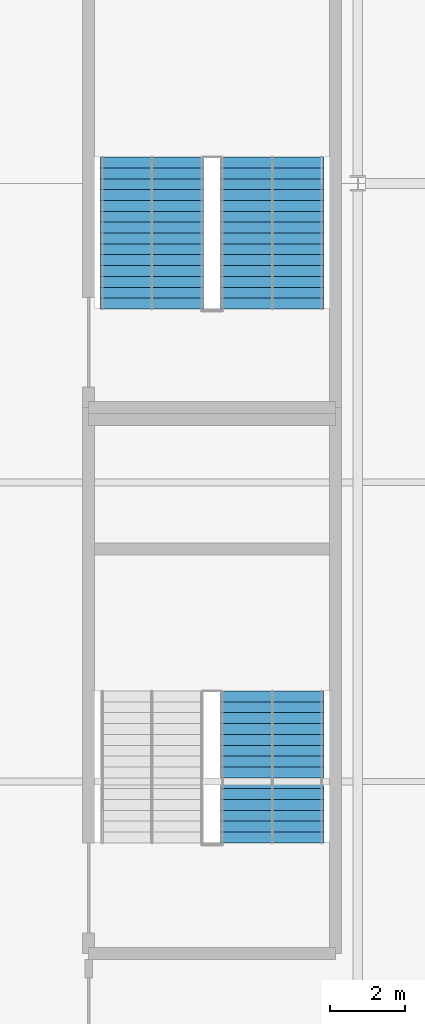
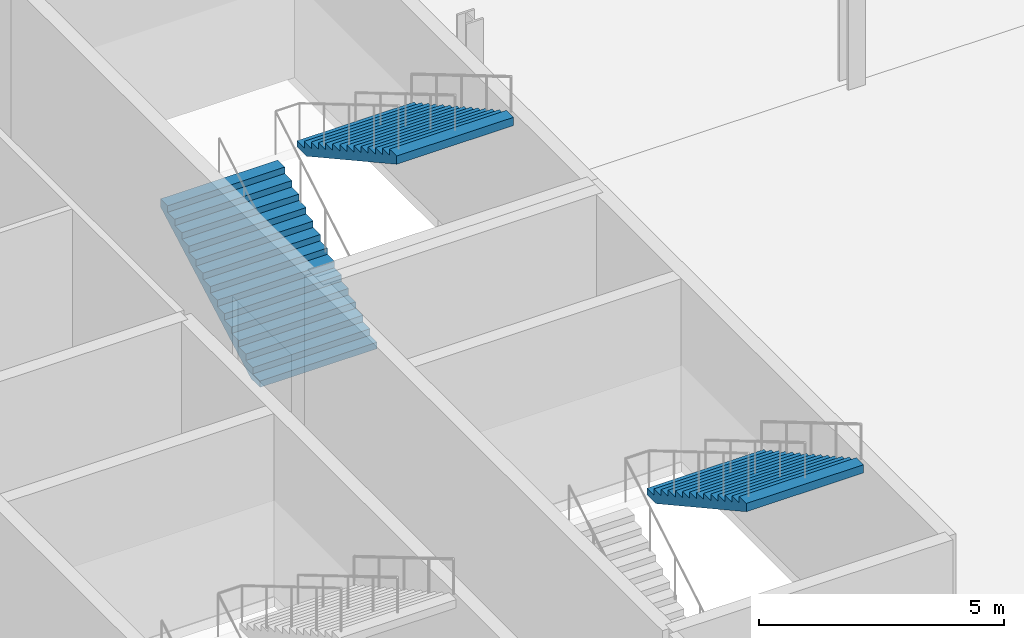
# One storey, part 117 of 136: 3 stair flights, 2 elements without a shape of their own.
"""IFC4 building model written with IfcOpenShell, lengths in metres."""

from ifc_helpers import new_model, si_unit, direction, frame, origin, place, context, subcontext, project, spatial, polygons, material, type_object, element, aggregate, save


model = new_model("IFC4")

# Units and contexts
model_context = context("Model", 3, precision=1e-05, world=origin(), true_north=direction((0.0, 1.0)))
body_context = subcontext(model_context, "Body", "Model", "MODEL_VIEW")
ifc_project = project(units=[si_unit("LENGTHUNIT", "METRE"), si_unit("AREAUNIT", "SQUARE_METRE"), si_unit("VOLUMEUNIT", "CUBIC_METRE"), si_unit("PLANEANGLEUNIT", "RADIAN"), si_unit("MASSUNIT", "GRAM", prefix="KILO")], contexts=[model_context])

# Site, building, storey
site_placement = place(None, origin())
site = spatial("IfcSite", under=ifc_project, at=site_placement, CompositionType="ELEMENT")
building_placement = place(site_placement, origin())
building = spatial("IfcBuilding", under=site, at=building_placement, Name="Kisiwana Market Hall", CompositionType="ELEMENT")
storey_placement = place(building_placement, frame((0.0, 0.0, 16.800048828125)))
storey = spatial("IfcBuildingStorey", under=building, at=storey_placement, Name="L03", CompositionType="ELEMENT", Elevation=16.800048828125)

# Stair, stair flight
ifc_material_1 = material(Name="Concrete C32/40", Category="concrete")
stair_type = type_object("IfcStairType", Name="ST-ESC-4800", PredefinedType="TWO_STRAIGHT_RUN_STAIR", material=ifc_material_1)
stair_1_placement = place(storey_placement, origin())
stair_1 = element("IfcStair", 1, at=stair_1_placement, inside=storey, type_object=stair_type, Name="Escape stair ST-W7-L03", PredefinedType="TWO_STRAIGHT_RUN_STAIR")
ifc_material_2 = material(Name="Concrete C32/40", Category="concrete")
stair_flight_type = type_object("IfcStairFlightType", Name="SF-ESC-4800", PredefinedType="STRAIGHT", material=ifc_material_2)
stair_flight_1_placement = place(storey_placement, frame((24.7099609375, 46.419921875, 2.39990234375), z_axis=(0.0, 0.0, 1.0), x_axis=(0.0, -1.0, 0.0)))
stair_flight_1 = element("IfcStairFlight", 2, at=stair_flight_1_placement, type_object=stair_flight_type, Name="ST-W7-L03 flight 2", NumberOfRisers=15, NumberOfTreads=14, PredefinedType="STRAIGHT", RiserHeight=0.16, TreadLength=0.29, context=body_context, shape_type="Tessellation", body=[
    polygons([(0.0, -1.380127, 0.0), (0.0, -0.690125, 0.0), (0.0, -0.000122, 0.0), (0.0, 0.68988, 0.0), (0.0, 1.379883, 0.0), (0.0, -1.380127, 0.159912), (0.0, -0.690125, 0.159912), (0.0, -0.000122, 0.159912), (0.0, 0.68988, 0.159912), (0.0, 1.379883, 0.159912), (0.290039, -1.380127, 0.159912), (0.290039, -0.690125, 0.159912), (0.290039, -0.000122, 0.159912), (0.290039, 0.68988, 0.159912), (0.290039, 1.379883, 0.159912), (0.290039, -1.380127, 0.320068), (0.290039, -0.690125, 0.320068), (0.290039, -0.000122, 0.320068), (0.290039, 0.68988, 0.320068), (0.290039, 1.379883, 0.320068), (0.580078, -1.380127, 0.320068), (0.580078, -0.690125, 0.320068), (0.580078, -0.000122, 0.320068), (0.580078, 0.68988, 0.320068), (0.580078, 1.379883, 0.320068), (0.580078, -1.380127, 0.47998), (0.580078, -0.690125, 0.47998), (0.580078, -0.000122, 0.47998), (0.580078, 0.68988, 0.47998), (0.580078, 1.379883, 0.47998), (0.870117, -1.380127, 0.47998), (0.870117, -0.690125, 0.47998), (0.870117, -0.000122, 0.47998), (0.870117, 0.68988, 0.47998), (0.870117, 1.379883, 0.47998), (0.870117, -1.380127, 0.639893), (0.870117, -0.690125, 0.639893), (0.870117, -0.000122, 0.639893), (0.870117, 0.68988, 0.639893), (0.870117, 1.379883, 0.639893), (1.159912, -1.380127, 0.639893), (1.159912, -0.690125, 0.639893), (1.159912, -0.000122, 0.639893), (1.159912, 0.68988, 0.639893), (1.159912, 1.379883, 0.639893), (1.159912, -1.380127, 0.800049), (1.159912, -0.690125, 0.800049), (1.159912, -0.000122, 0.800049), (1.159912, 0.68988, 0.800049), (1.159912, 1.379883, 0.800049), (1.449951, -1.380127, 0.800049), (1.449951, -0.690125, 0.800049), (1.449951, -0.000122, 0.800049), (1.449951, 0.68988, 0.800049), (1.449951, 1.379883, 0.800049), (1.449951, -1.380127, 0.959961), (1.449951, -0.690125, 0.959961), (1.449951, -0.000122, 0.959961), (1.449951, 0.68988, 0.959961), (1.449951, 1.379883, 0.959961), (1.73999, -1.380127, 0.959961), (1.73999, -0.690125, 0.959961), (1.73999, -0.000122, 0.959961), (1.73999, 0.68988, 0.959961), (1.73999, 1.379883, 0.959961), (1.73999, -1.380127, 1.120117), (1.73999, -0.690125, 1.120117), (1.73999, -0.000122, 1.120117), (1.73999, 0.68988, 1.120117), (1.73999, 1.379883, 1.120117), (2.030029, -1.380127, 1.120117), (2.030029, -0.690125, 1.120117), (2.030029, -0.000122, 1.120117), (2.030029, 0.68988, 1.120117), (2.030029, 1.379883, 1.120117), (2.030029, -1.380127, 1.280029), (2.030029, -0.690125, 1.280029), (2.030029, -0.000122, 1.280029), (2.030029, 0.68988, 1.280029), (2.030029, 1.379883, 1.280029), (2.320068, -1.380127, 1.280029), (2.320068, -0.690125, 1.280029), (2.320068, -0.000122, 1.280029), (2.320068, 0.68988, 1.280029), (2.320068, 1.379883, 1.280029), (2.320068, -1.380127, 1.439941), (2.320068, -0.690125, 1.439941), (2.320068, -0.000122, 1.439941), (2.320068, 0.68988, 1.439941), (2.320068, 1.379883, 1.439941), (2.610107, -1.380127, 1.439941), (2.610107, -0.690125, 1.439941), (2.610107, -0.000122, 1.439941), (2.610107, 0.68988, 1.439941), (2.610107, 1.379883, 1.439941), (2.610107, -1.380127, 1.600098), (2.610107, -0.690125, 1.600098), (2.610107, -0.000122, 1.600098), (2.610107, 0.68988, 1.600098), (2.610107, 1.379883, 1.600098), (2.899902, -1.380127, 1.600098), (2.899902, -0.690125, 1.600098), (2.899902, -0.000122, 1.600098), (2.899902, 0.68988, 1.600098), (2.899902, 1.379883, 1.600098), (2.899902, -1.380127, 1.76001), (2.899902, -0.690125, 1.76001), (2.899902, -0.000122, 1.76001), (2.899902, 0.68988, 1.76001), (2.899902, 1.379883, 1.76001), (3.189941, -1.380127, 1.76001), (3.189941, -0.690125, 1.76001), (3.189941, -0.000122, 1.76001), (3.189941, 0.68988, 1.76001), (3.189941, 1.379883, 1.76001), (3.189941, -1.380127, 1.919922), (3.189941, -0.690125, 1.919922), (3.189941, -0.000122, 1.919922), (3.189941, 0.68988, 1.919922), (3.189941, 1.379883, 1.919922), (3.47998, -1.380127, 1.919922), (3.47998, -0.690125, 1.919922), (3.47998, -0.000122, 1.919922), (3.47998, 0.68988, 1.919922), (3.47998, 1.379883, 1.919922), (3.47998, -1.380127, 2.080078), (3.47998, -0.690125, 2.080078), (3.47998, -0.000122, 2.080078), (3.47998, 0.68988, 2.080078), (3.47998, 1.379883, 2.080078), (3.77002, -1.380127, 2.080078), (3.77002, -0.690125, 2.080078), (3.77002, -0.000122, 2.080078), (3.77002, 0.68988, 2.080078), (3.77002, 1.379883, 2.080078), (3.77002, -1.380127, 2.23999), (3.77002, -0.690125, 2.23999), (3.77002, -0.000122, 2.23999), (3.77002, 0.68988, 2.23999), (3.77002, 1.379883, 2.23999), (4.060059, -1.380127, 2.23999), (4.060059, -0.690125, 2.23999), (4.060059, -0.000122, 2.23999), (4.060059, 0.68988, 2.23999), (4.060059, 1.379883, 2.23999), (4.060059, -1.380127, 2.034424), (4.060059, -0.690125, 2.034424), (4.060059, -0.000122, 2.034424), (4.060059, 0.68988, 2.034424), (4.060059, 1.379883, 2.034424), (0.372559, -1.380127, 0.0), (0.372559, -0.690125, 0.0), (0.372559, -0.000122, 0.0), (0.372559, 0.68988, 0.0), (0.372559, 1.379883, 0.0)], [[[1, 6, 7, 2]], [[2, 7, 8, 3]], [[3, 8, 9, 4]], [[4, 9, 10, 5]], [[6, 11, 12, 7]], [[7, 12, 13, 8]], [[8, 13, 14, 9]], [[9, 14, 15, 10]], [[11, 16, 17, 12]], [[12, 17, 18, 13]], [[13, 18, 19, 14]], [[14, 19, 20, 15]], [[16, 21, 22, 17]], [[17, 22, 23, 18]], [[18, 23, 24, 19]], [[19, 24, 25, 20]], [[21, 26, 27, 22]], [[22, 27, 28, 23]], [[23, 28, 29, 24]], [[24, 29, 30, 25]], [[26, 31, 32, 27]], [[27, 32, 33, 28]], [[28, 33, 34, 29]], [[29, 34, 35, 30]], [[31, 36, 37, 32]], [[32, 37, 38, 33]], [[33, 38, 39, 34]], [[34, 39, 40, 35]], [[36, 41, 42, 37]], [[37, 42, 43, 38]], [[38, 43, 44, 39]], [[39, 44, 45, 40]], [[41, 46, 47, 42]], [[42, 47, 48, 43]], [[43, 48, 49, 44]], [[44, 49, 50, 45]], [[46, 51, 52, 47]], [[47, 52, 53, 48]], [[48, 53, 54, 49]], [[49, 54, 55, 50]], [[51, 56, 57, 52]], [[52, 57, 58, 53]], [[53, 58, 59, 54]], [[54, 59, 60, 55]], [[56, 61, 62, 57]], [[57, 62, 63, 58]], [[58, 63, 64, 59]], [[59, 64, 65, 60]], [[61, 66, 67, 62]], [[62, 67, 68, 63]], [[63, 68, 69, 64]], [[64, 69, 70, 65]], [[66, 71, 72, 67]], [[67, 72, 73, 68]], [[68, 73, 74, 69]], [[69, 74, 75, 70]], [[71, 76, 77, 72]], [[72, 77, 78, 73]], [[73, 78, 79, 74]], [[74, 79, 80, 75]], [[76, 81, 82, 77]], [[77, 82, 83, 78]], [[78, 83, 84, 79]], [[79, 84, 85, 80]], [[81, 86, 87, 82]], [[82, 87, 88, 83]], [[83, 88, 89, 84]], [[84, 89, 90, 85]], [[86, 91, 92, 87]], [[87, 92, 93, 88]], [[88, 93, 94, 89]], [[89, 94, 95, 90]], [[91, 96, 97, 92]], [[92, 97, 98, 93]], [[93, 98, 99, 94]], [[94, 99, 100, 95]], [[96, 101, 102, 97]], [[97, 102, 103, 98]], [[98, 103, 104, 99]], [[99, 104, 105, 100]], [[101, 106, 107, 102]], [[102, 107, 108, 103]], [[103, 108, 109, 104]], [[104, 109, 110, 105]], [[106, 111, 112, 107]], [[107, 112, 113, 108]], [[108, 113, 114, 109]], [[109, 114, 115, 110]], [[111, 116, 117, 112]], [[112, 117, 118, 113]], [[113, 118, 119, 114]], [[114, 119, 120, 115]], [[116, 121, 122, 117]], [[117, 122, 123, 118]], [[118, 123, 124, 119]], [[119, 124, 125, 120]], [[121, 126, 127, 122]], [[122, 127, 128, 123]], [[123, 128, 129, 124]], [[124, 129, 130, 125]], [[126, 131, 132, 127]], [[127, 132, 133, 128]], [[128, 133, 134, 129]], [[129, 134, 135, 130]], [[131, 136, 137, 132]], [[132, 137, 138, 133]], [[133, 138, 139, 134]], [[134, 139, 140, 135]], [[136, 141, 142, 137]], [[137, 142, 143, 138]], [[138, 143, 144, 139]], [[139, 144, 145, 140]], [[141, 146, 147, 142]], [[142, 147, 148, 143]], [[143, 148, 149, 144]], [[144, 149, 150, 145]], [[146, 151, 152, 147]], [[147, 152, 153, 148]], [[148, 153, 154, 149]], [[149, 154, 155, 150]], [[151, 1, 2, 152]], [[152, 2, 3, 153]], [[153, 3, 4, 154]], [[154, 4, 5, 155]], [[151, 146, 141, 136, 131, 126, 121, 116, 111, 106, 101, 96, 91, 86, 81, 76, 71, 66, 61, 56, 51, 46, 41, 36, 31, 26, 21, 16, 11, 6, 1]], [[5, 10, 15, 20, 25, 30, 35, 40, 45, 50, 55, 60, 65, 70, 75, 80, 85, 90, 95, 100, 105, 110, 115, 120, 125, 130, 135, 140, 145, 150, 155]]], closed=True),
])
aggregate(stair_1, [stair_flight_1])

# Stair, stair flights
stair_2_placement = place(storey_placement, origin())
stair_2 = element("IfcStair", 3, at=stair_2_placement, inside=storey, type_object=stair_type, Name="Escape stair ST-W5-L03", PredefinedType="TWO_STRAIGHT_RUN_STAIR")
stair_flight_2_placement = place(storey_placement, frame((21.489990234375, 56.639892578125, 0.0), z_axis=(0.0, 0.0, 1.0), x_axis=(0.0, 1.0, 0.0)))
stair_flight_2 = element("IfcStairFlight", 4, at=stair_flight_2_placement, type_object=stair_flight_type, Name="ST-W5-L03 flight 1", NumberOfRisers=15, NumberOfTreads=14, PredefinedType="STRAIGHT", RiserHeight=0.16, TreadLength=0.29, context=body_context, shape_type="Tessellation", body=[
    polygons([(0.0, -1.380127, 0.0), (0.0, -0.690125, 0.0), (0.0, -0.000122, 0.0), (0.0, 0.68988, 0.0), (0.0, 1.379883, 0.0), (0.0, -1.380127, 0.159912), (0.0, -0.690125, 0.159912), (0.0, -0.000122, 0.159912), (0.0, 0.68988, 0.159912), (0.0, 1.379883, 0.159912), (0.290039, -1.380127, 0.159912), (0.290039, -0.690125, 0.159912), (0.290039, -0.000122, 0.159912), (0.290039, 0.68988, 0.159912), (0.290039, 1.379883, 0.159912), (0.290039, -1.380127, 0.320068), (0.290039, -0.690125, 0.320068), (0.290039, -0.000122, 0.320068), (0.290039, 0.68988, 0.320068), (0.290039, 1.379883, 0.320068), (0.580078, -1.380127, 0.320068), (0.580078, -0.690125, 0.320068), (0.580078, -0.000122, 0.320068), (0.580078, 0.68988, 0.320068), (0.580078, 1.379883, 0.320068), (0.580078, -1.380127, 0.47998), (0.580078, -0.690125, 0.47998), (0.580078, -0.000122, 0.47998), (0.580078, 0.68988, 0.47998), (0.580078, 1.379883, 0.47998), (0.870117, -1.380127, 0.47998), (0.870117, -0.690125, 0.47998), (0.870117, -0.000122, 0.47998), (0.870117, 0.68988, 0.47998), (0.870117, 1.379883, 0.47998), (0.870117, -1.380127, 0.639893), (0.870117, -0.690125, 0.639893), (0.870117, -0.000122, 0.639893), (0.870117, 0.68988, 0.639893), (0.870117, 1.379883, 0.639893), (1.159912, -1.380127, 0.639893), (1.159912, -0.690125, 0.639893), (1.159912, -0.000122, 0.639893), (1.159912, 0.68988, 0.639893), (1.159912, 1.379883, 0.639893), (1.159912, -1.380127, 0.800049), (1.159912, -0.690125, 0.800049), (1.159912, -0.000122, 0.800049), (1.159912, 0.68988, 0.800049), (1.159912, 1.379883, 0.800049), (1.449951, -1.380127, 0.800049), (1.449951, -0.690125, 0.800049), (1.449951, -0.000122, 0.800049), (1.449951, 0.68988, 0.800049), (1.449951, 1.379883, 0.800049), (1.449951, -1.380127, 0.959961), (1.449951, -0.690125, 0.959961), (1.449951, -0.000122, 0.959961), (1.449951, 0.68988, 0.959961), (1.449951, 1.379883, 0.959961), (1.73999, -1.380127, 0.959961), (1.73999, -0.690125, 0.959961), (1.73999, -0.000122, 0.959961), (1.73999, 0.68988, 0.959961), (1.73999, 1.379883, 0.959961), (1.73999, -1.380127, 1.120117), (1.73999, -0.690125, 1.120117), (1.73999, -0.000122, 1.120117), (1.73999, 0.68988, 1.120117), (1.73999, 1.379883, 1.120117), (2.030029, -1.380127, 1.120117), (2.030029, -0.690125, 1.120117), (2.030029, -0.000122, 1.120117), (2.030029, 0.68988, 1.120117), (2.030029, 1.379883, 1.120117), (2.030029, -1.380127, 1.280029), (2.030029, -0.690125, 1.280029), (2.030029, -0.000122, 1.280029), (2.030029, 0.68988, 1.280029), (2.030029, 1.379883, 1.280029), (2.320068, -1.380127, 1.280029), (2.320068, -0.690125, 1.280029), (2.320068, -0.000122, 1.280029), (2.320068, 0.68988, 1.280029), (2.320068, 1.379883, 1.280029), (2.320068, -1.380127, 1.439941), (2.320068, -0.690125, 1.439941), (2.320068, -0.000122, 1.439941), (2.320068, 0.68988, 1.439941), (2.320068, 1.379883, 1.439941), (2.610107, -1.380127, 1.439941), (2.610107, -0.690125, 1.439941), (2.610107, -0.000122, 1.439941), (2.610107, 0.68988, 1.439941), (2.610107, 1.379883, 1.439941), (2.610107, -1.380127, 1.600098), (2.610107, -0.690125, 1.600098), (2.610107, -0.000122, 1.600098), (2.610107, 0.68988, 1.600098), (2.610107, 1.379883, 1.600098), (2.899902, -1.380127, 1.600098), (2.899902, -0.690125, 1.600098), (2.899902, -0.000122, 1.600098), (2.899902, 0.68988, 1.600098), (2.899902, 1.379883, 1.600098), (2.899902, -1.380127, 1.76001), (2.899902, -0.690125, 1.76001), (2.899902, -0.000122, 1.76001), (2.899902, 0.68988, 1.76001), (2.899902, 1.379883, 1.76001), (3.189941, -1.380127, 1.76001), (3.189941, -0.690125, 1.76001), (3.189941, -0.000122, 1.76001), (3.189941, 0.68988, 1.76001), (3.189941, 1.379883, 1.76001), (3.189941, -1.380127, 1.919922), (3.189941, -0.690125, 1.919922), (3.189941, -0.000122, 1.919922), (3.189941, 0.68988, 1.919922), (3.189941, 1.379883, 1.919922), (3.47998, -1.380127, 1.919922), (3.47998, -0.690125, 1.919922), (3.47998, -0.000122, 1.919922), (3.47998, 0.68988, 1.919922), (3.47998, 1.379883, 1.919922), (3.47998, -1.380127, 2.080078), (3.47998, -0.690125, 2.080078), (3.47998, -0.000122, 2.080078), (3.47998, 0.68988, 2.080078), (3.47998, 1.379883, 2.080078), (3.77002, -1.380127, 2.080078), (3.77002, -0.690125, 2.080078), (3.77002, -0.000122, 2.080078), (3.77002, 0.68988, 2.080078), (3.77002, 1.379883, 2.080078), (3.77002, -1.380127, 2.23999), (3.77002, -0.690125, 2.23999), (3.77002, -0.000122, 2.23999), (3.77002, 0.68988, 2.23999), (3.77002, 1.379883, 2.23999), (4.060059, -1.380127, 2.23999), (4.060059, -0.690125, 2.23999), (4.060059, -0.000122, 2.23999), (4.060059, 0.68988, 2.23999), (4.060059, 1.379883, 2.23999), (4.060059, -1.380127, 2.034424), (4.060059, -0.690125, 2.034424), (4.060059, -0.000122, 2.034424), (4.060059, 0.68988, 2.034424), (4.060059, 1.379883, 2.034424), (0.372559, -1.380127, 0.0), (0.372559, -0.690125, 0.0), (0.372559, -0.000122, 0.0), (0.372559, 0.68988, 0.0), (0.372559, 1.379883, 0.0)], [[[1, 6, 7, 2]], [[2, 7, 8, 3]], [[3, 8, 9, 4]], [[4, 9, 10, 5]], [[6, 11, 12, 7]], [[7, 12, 13, 8]], [[8, 13, 14, 9]], [[9, 14, 15, 10]], [[11, 16, 17, 12]], [[12, 17, 18, 13]], [[13, 18, 19, 14]], [[14, 19, 20, 15]], [[16, 21, 22, 17]], [[17, 22, 23, 18]], [[18, 23, 24, 19]], [[19, 24, 25, 20]], [[21, 26, 27, 22]], [[22, 27, 28, 23]], [[23, 28, 29, 24]], [[24, 29, 30, 25]], [[26, 31, 32, 27]], [[27, 32, 33, 28]], [[28, 33, 34, 29]], [[29, 34, 35, 30]], [[31, 36, 37, 32]], [[32, 37, 38, 33]], [[33, 38, 39, 34]], [[34, 39, 40, 35]], [[36, 41, 42, 37]], [[37, 42, 43, 38]], [[38, 43, 44, 39]], [[39, 44, 45, 40]], [[41, 46, 47, 42]], [[42, 47, 48, 43]], [[43, 48, 49, 44]], [[44, 49, 50, 45]], [[46, 51, 52, 47]], [[47, 52, 53, 48]], [[48, 53, 54, 49]], [[49, 54, 55, 50]], [[51, 56, 57, 52]], [[52, 57, 58, 53]], [[53, 58, 59, 54]], [[54, 59, 60, 55]], [[56, 61, 62, 57]], [[57, 62, 63, 58]], [[58, 63, 64, 59]], [[59, 64, 65, 60]], [[61, 66, 67, 62]], [[62, 67, 68, 63]], [[63, 68, 69, 64]], [[64, 69, 70, 65]], [[66, 71, 72, 67]], [[67, 72, 73, 68]], [[68, 73, 74, 69]], [[69, 74, 75, 70]], [[71, 76, 77, 72]], [[72, 77, 78, 73]], [[73, 78, 79, 74]], [[74, 79, 80, 75]], [[76, 81, 82, 77]], [[77, 82, 83, 78]], [[78, 83, 84, 79]], [[79, 84, 85, 80]], [[81, 86, 87, 82]], [[82, 87, 88, 83]], [[83, 88, 89, 84]], [[84, 89, 90, 85]], [[86, 91, 92, 87]], [[87, 92, 93, 88]], [[88, 93, 94, 89]], [[89, 94, 95, 90]], [[91, 96, 97, 92]], [[92, 97, 98, 93]], [[93, 98, 99, 94]], [[94, 99, 100, 95]], [[96, 101, 102, 97]], [[97, 102, 103, 98]], [[98, 103, 104, 99]], [[99, 104, 105, 100]], [[101, 106, 107, 102]], [[102, 107, 108, 103]], [[103, 108, 109, 104]], [[104, 109, 110, 105]], [[106, 111, 112, 107]], [[107, 112, 113, 108]], [[108, 113, 114, 109]], [[109, 114, 115, 110]], [[111, 116, 117, 112]], [[112, 117, 118, 113]], [[113, 118, 119, 114]], [[114, 119, 120, 115]], [[116, 121, 122, 117]], [[117, 122, 123, 118]], [[118, 123, 124, 119]], [[119, 124, 125, 120]], [[121, 126, 127, 122]], [[122, 127, 128, 123]], [[123, 128, 129, 124]], [[124, 129, 130, 125]], [[126, 131, 132, 127]], [[127, 132, 133, 128]], [[128, 133, 134, 129]], [[129, 134, 135, 130]], [[131, 136, 137, 132]], [[132, 137, 138, 133]], [[133, 138, 139, 134]], [[134, 139, 140, 135]], [[136, 141, 142, 137]], [[137, 142, 143, 138]], [[138, 143, 144, 139]], [[139, 144, 145, 140]], [[141, 146, 147, 142]], [[142, 147, 148, 143]], [[143, 148, 149, 144]], [[144, 149, 150, 145]], [[146, 151, 152, 147]], [[147, 152, 153, 148]], [[148, 153, 154, 149]], [[149, 154, 155, 150]], [[151, 1, 2, 152]], [[152, 2, 3, 153]], [[153, 3, 4, 154]], [[154, 4, 5, 155]], [[151, 146, 141, 136, 131, 126, 121, 116, 111, 106, 101, 96, 91, 86, 81, 76, 71, 66, 61, 56, 51, 46, 41, 36, 31, 26, 21, 16, 11, 6, 1]], [[5, 10, 15, 20, 25, 30, 35, 40, 45, 50, 55, 60, 65, 70, 75, 80, 85, 90, 95, 100, 105, 110, 115, 120, 125, 130, 135, 140, 145, 150, 155]]], closed=True),
])
stair_flight_3_placement = place(storey_placement, frame((24.7099609375, 60.699951171875, 2.39990234375), z_axis=(0.0, 0.0, 1.0), x_axis=(0.0, -1.0, 0.0)))
stair_flight_3 = element("IfcStairFlight", 5, at=stair_flight_3_placement, type_object=stair_flight_type, Name="ST-W5-L03 flight 2", NumberOfRisers=15, NumberOfTreads=14, PredefinedType="STRAIGHT", RiserHeight=0.16, TreadLength=0.29, context=body_context, shape_type="Tessellation", body=[
    polygons([(0.0, -1.380127, 0.0), (0.0, -0.690125, 0.0), (0.0, -0.000122, 0.0), (0.0, 0.68988, 0.0), (0.0, 1.379883, 0.0), (0.0, -1.380127, 0.159912), (0.0, -0.690125, 0.159912), (0.0, -0.000122, 0.159912), (0.0, 0.68988, 0.159912), (0.0, 1.379883, 0.159912), (0.290039, -1.380127, 0.159912), (0.290039, -0.690125, 0.159912), (0.290039, -0.000122, 0.159912), (0.290039, 0.68988, 0.159912), (0.290039, 1.379883, 0.159912), (0.290039, -1.380127, 0.320068), (0.290039, -0.690125, 0.320068), (0.290039, -0.000122, 0.320068), (0.290039, 0.68988, 0.320068), (0.290039, 1.379883, 0.320068), (0.580078, -1.380127, 0.320068), (0.580078, -0.690125, 0.320068), (0.580078, -0.000122, 0.320068), (0.580078, 0.68988, 0.320068), (0.580078, 1.379883, 0.320068), (0.580078, -1.380127, 0.47998), (0.580078, -0.690125, 0.47998), (0.580078, -0.000122, 0.47998), (0.580078, 0.68988, 0.47998), (0.580078, 1.379883, 0.47998), (0.870117, -1.380127, 0.47998), (0.870117, -0.690125, 0.47998), (0.870117, -0.000122, 0.47998), (0.870117, 0.68988, 0.47998), (0.870117, 1.379883, 0.47998), (0.870117, -1.380127, 0.639893), (0.870117, -0.690125, 0.639893), (0.870117, -0.000122, 0.639893), (0.870117, 0.68988, 0.639893), (0.870117, 1.379883, 0.639893), (1.159912, -1.380127, 0.639893), (1.159912, -0.690125, 0.639893), (1.159912, -0.000122, 0.639893), (1.159912, 0.68988, 0.639893), (1.159912, 1.379883, 0.639893), (1.159912, -1.380127, 0.800049), (1.159912, -0.690125, 0.800049), (1.159912, -0.000122, 0.800049), (1.159912, 0.68988, 0.800049), (1.159912, 1.379883, 0.800049), (1.449951, -1.380127, 0.800049), (1.449951, -0.690125, 0.800049), (1.449951, -0.000122, 0.800049), (1.449951, 0.68988, 0.800049), (1.449951, 1.379883, 0.800049), (1.449951, -1.380127, 0.959961), (1.449951, -0.690125, 0.959961), (1.449951, -0.000122, 0.959961), (1.449951, 0.68988, 0.959961), (1.449951, 1.379883, 0.959961), (1.73999, -1.380127, 0.959961), (1.73999, -0.690125, 0.959961), (1.73999, -0.000122, 0.959961), (1.73999, 0.68988, 0.959961), (1.73999, 1.379883, 0.959961), (1.73999, -1.380127, 1.120117), (1.73999, -0.690125, 1.120117), (1.73999, -0.000122, 1.120117), (1.73999, 0.68988, 1.120117), (1.73999, 1.379883, 1.120117), (2.030029, -1.380127, 1.120117), (2.030029, -0.690125, 1.120117), (2.030029, -0.000122, 1.120117), (2.030029, 0.68988, 1.120117), (2.030029, 1.379883, 1.120117), (2.030029, -1.380127, 1.280029), (2.030029, -0.690125, 1.280029), (2.030029, -0.000122, 1.280029), (2.030029, 0.68988, 1.280029), (2.030029, 1.379883, 1.280029), (2.320068, -1.380127, 1.280029), (2.320068, -0.690125, 1.280029), (2.320068, -0.000122, 1.280029), (2.320068, 0.68988, 1.280029), (2.320068, 1.379883, 1.280029), (2.320068, -1.380127, 1.439941), (2.320068, -0.690125, 1.439941), (2.320068, -0.000122, 1.439941), (2.320068, 0.68988, 1.439941), (2.320068, 1.379883, 1.439941), (2.610107, -1.380127, 1.439941), (2.610107, -0.690125, 1.439941), (2.610107, -0.000122, 1.439941), (2.610107, 0.68988, 1.439941), (2.610107, 1.379883, 1.439941), (2.610107, -1.380127, 1.600098), (2.610107, -0.690125, 1.600098), (2.610107, -0.000122, 1.600098), (2.610107, 0.68988, 1.600098), (2.610107, 1.379883, 1.600098), (2.899902, -1.380127, 1.600098), (2.899902, -0.690125, 1.600098), (2.899902, -0.000122, 1.600098), (2.899902, 0.68988, 1.600098), (2.899902, 1.379883, 1.600098), (2.899902, -1.380127, 1.76001), (2.899902, -0.690125, 1.76001), (2.899902, -0.000122, 1.76001), (2.899902, 0.68988, 1.76001), (2.899902, 1.379883, 1.76001), (3.189941, -1.380127, 1.76001), (3.189941, -0.690125, 1.76001), (3.189941, -0.000122, 1.76001), (3.189941, 0.68988, 1.76001), (3.189941, 1.379883, 1.76001), (3.189941, -1.380127, 1.919922), (3.189941, -0.690125, 1.919922), (3.189941, -0.000122, 1.919922), (3.189941, 0.68988, 1.919922), (3.189941, 1.379883, 1.919922), (3.47998, -1.380127, 1.919922), (3.47998, -0.690125, 1.919922), (3.47998, -0.000122, 1.919922), (3.47998, 0.68988, 1.919922), (3.47998, 1.379883, 1.919922), (3.47998, -1.380127, 2.080078), (3.47998, -0.690125, 2.080078), (3.47998, -0.000122, 2.080078), (3.47998, 0.68988, 2.080078), (3.47998, 1.379883, 2.080078), (3.77002, -1.380127, 2.080078), (3.77002, -0.690125, 2.080078), (3.77002, -0.000122, 2.080078), (3.77002, 0.68988, 2.080078), (3.77002, 1.379883, 2.080078), (3.77002, -1.380127, 2.23999), (3.77002, -0.690125, 2.23999), (3.77002, -0.000122, 2.23999), (3.77002, 0.68988, 2.23999), (3.77002, 1.379883, 2.23999), (4.060059, -1.380127, 2.23999), (4.060059, -0.690125, 2.23999), (4.060059, -0.000122, 2.23999), (4.060059, 0.68988, 2.23999), (4.060059, 1.379883, 2.23999), (4.060059, -1.380127, 2.034424), (4.060059, -0.690125, 2.034424), (4.060059, -0.000122, 2.034424), (4.060059, 0.68988, 2.034424), (4.060059, 1.379883, 2.034424), (0.372559, -1.380127, 0.0), (0.372559, -0.690125, 0.0), (0.372559, -0.000122, 0.0), (0.372559, 0.68988, 0.0), (0.372559, 1.379883, 0.0)], [[[1, 6, 7, 2]], [[2, 7, 8, 3]], [[3, 8, 9, 4]], [[4, 9, 10, 5]], [[6, 11, 12, 7]], [[7, 12, 13, 8]], [[8, 13, 14, 9]], [[9, 14, 15, 10]], [[11, 16, 17, 12]], [[12, 17, 18, 13]], [[13, 18, 19, 14]], [[14, 19, 20, 15]], [[16, 21, 22, 17]], [[17, 22, 23, 18]], [[18, 23, 24, 19]], [[19, 24, 25, 20]], [[21, 26, 27, 22]], [[22, 27, 28, 23]], [[23, 28, 29, 24]], [[24, 29, 30, 25]], [[26, 31, 32, 27]], [[27, 32, 33, 28]], [[28, 33, 34, 29]], [[29, 34, 35, 30]], [[31, 36, 37, 32]], [[32, 37, 38, 33]], [[33, 38, 39, 34]], [[34, 39, 40, 35]], [[36, 41, 42, 37]], [[37, 42, 43, 38]], [[38, 43, 44, 39]], [[39, 44, 45, 40]], [[41, 46, 47, 42]], [[42, 47, 48, 43]], [[43, 48, 49, 44]], [[44, 49, 50, 45]], [[46, 51, 52, 47]], [[47, 52, 53, 48]], [[48, 53, 54, 49]], [[49, 54, 55, 50]], [[51, 56, 57, 52]], [[52, 57, 58, 53]], [[53, 58, 59, 54]], [[54, 59, 60, 55]], [[56, 61, 62, 57]], [[57, 62, 63, 58]], [[58, 63, 64, 59]], [[59, 64, 65, 60]], [[61, 66, 67, 62]], [[62, 67, 68, 63]], [[63, 68, 69, 64]], [[64, 69, 70, 65]], [[66, 71, 72, 67]], [[67, 72, 73, 68]], [[68, 73, 74, 69]], [[69, 74, 75, 70]], [[71, 76, 77, 72]], [[72, 77, 78, 73]], [[73, 78, 79, 74]], [[74, 79, 80, 75]], [[76, 81, 82, 77]], [[77, 82, 83, 78]], [[78, 83, 84, 79]], [[79, 84, 85, 80]], [[81, 86, 87, 82]], [[82, 87, 88, 83]], [[83, 88, 89, 84]], [[84, 89, 90, 85]], [[86, 91, 92, 87]], [[87, 92, 93, 88]], [[88, 93, 94, 89]], [[89, 94, 95, 90]], [[91, 96, 97, 92]], [[92, 97, 98, 93]], [[93, 98, 99, 94]], [[94, 99, 100, 95]], [[96, 101, 102, 97]], [[97, 102, 103, 98]], [[98, 103, 104, 99]], [[99, 104, 105, 100]], [[101, 106, 107, 102]], [[102, 107, 108, 103]], [[103, 108, 109, 104]], [[104, 109, 110, 105]], [[106, 111, 112, 107]], [[107, 112, 113, 108]], [[108, 113, 114, 109]], [[109, 114, 115, 110]], [[111, 116, 117, 112]], [[112, 117, 118, 113]], [[113, 118, 119, 114]], [[114, 119, 120, 115]], [[116, 121, 122, 117]], [[117, 122, 123, 118]], [[118, 123, 124, 119]], [[119, 124, 125, 120]], [[121, 126, 127, 122]], [[122, 127, 128, 123]], [[123, 128, 129, 124]], [[124, 129, 130, 125]], [[126, 131, 132, 127]], [[127, 132, 133, 128]], [[128, 133, 134, 129]], [[129, 134, 135, 130]], [[131, 136, 137, 132]], [[132, 137, 138, 133]], [[133, 138, 139, 134]], [[134, 139, 140, 135]], [[136, 141, 142, 137]], [[137, 142, 143, 138]], [[138, 143, 144, 139]], [[139, 144, 145, 140]], [[141, 146, 147, 142]], [[142, 147, 148, 143]], [[143, 148, 149, 144]], [[144, 149, 150, 145]], [[146, 151, 152, 147]], [[147, 152, 153, 148]], [[148, 153, 154, 149]], [[149, 154, 155, 150]], [[151, 1, 2, 152]], [[152, 2, 3, 153]], [[153, 3, 4, 154]], [[154, 4, 5, 155]], [[151, 146, 141, 136, 131, 126, 121, 116, 111, 106, 101, 96, 91, 86, 81, 76, 71, 66, 61, 56, 51, 46, 41, 36, 31, 26, 21, 16, 11, 6, 1]], [[5, 10, 15, 20, 25, 30, 35, 40, 45, 50, 55, 60, 65, 70, 75, 80, 85, 90, 95, 100, 105, 110, 115, 120, 125, 130, 135, 140, 145, 150, 155]]], closed=True),
])
aggregate(stair_2, [stair_flight_2, stair_flight_3])

save(model, "model.ifc")
